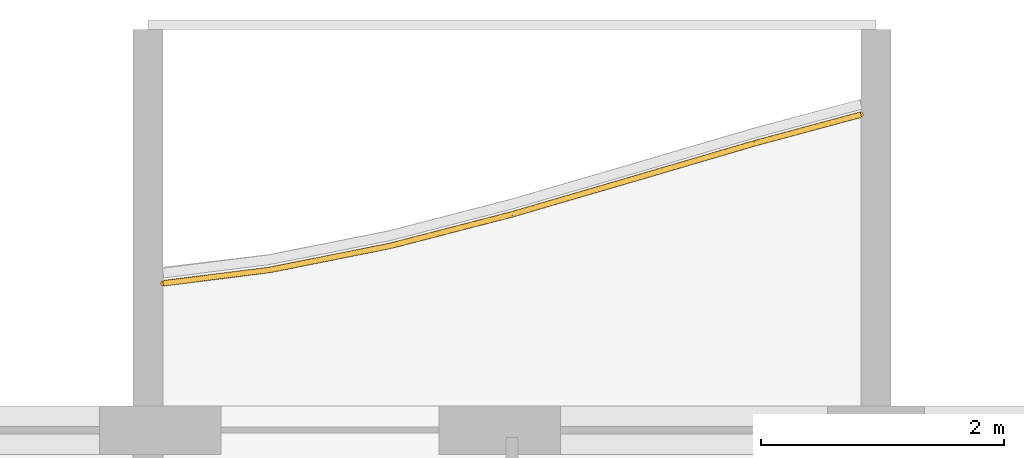
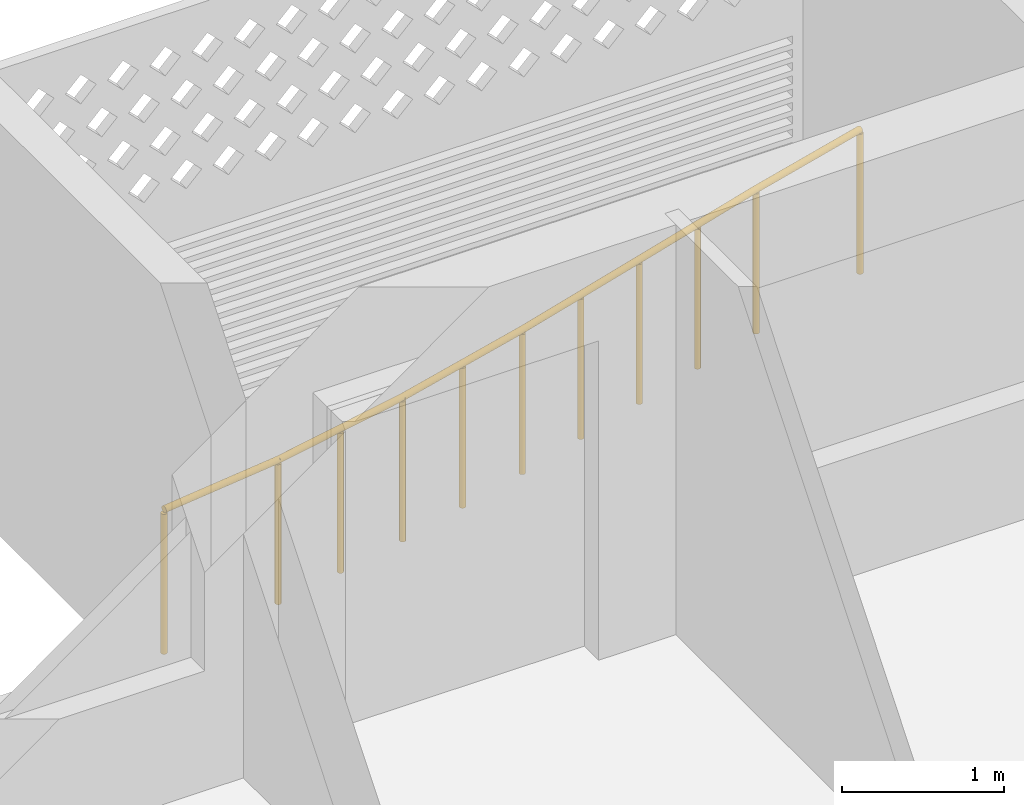
# One storey, part 17 of 26: 1 railing.
"""IFC4 building model written with IfcOpenShell, lengths in metres."""

import ifcopenshell
import ifcopenshell.guid

model = None  # the IFC model being written
_history = None  # IfcOwnerHistory: only IFC2X3 demands one
_inside = {}  # id of a spatial element -> (the spatial element, [elements in it])
_under = {}  # id of a project, library or spatial element -> (it, [spatial elements below it])
_declared = {}  # id of a project -> (the project, [libraries it declares])
_typed = {}  # id of a type object -> (the type object, [elements of that type])
_made_of = {}  # id of a material, layer set ... -> (it, [elements and type objects made of it])


def new_model(schema):
    """Start an empty IFC model of exactly this schema.

    Asked for "IFC4X3", IfcOpenShell would pick the latest addendum, in which some entities
    have other attributes; the version numbers below select the first issue.
    IFC2X3 requires an IfcOwnerHistory on every rooted entity: one is made here for all.
    """
    global model, _history
    if schema == "IFC4X3":
        model = ifcopenshell.file(schema_version=(4, 3, 0, 0))
    else:
        model = ifcopenshell.file(schema=schema)
    _inside.clear()
    _under.clear()
    _declared.clear()
    _typed.clear()
    _made_of.clear()
    _history = None
    if model.schema == "IFC2X3":
        org = make("IfcOrganization", Name="unknown")
        user = make(
            "IfcPersonAndOrganization",
            ThePerson=make("IfcPerson", FamilyName="unknown"),
            TheOrganization=org,
        )
        app = make(
            "IfcApplication",
            ApplicationDeveloper=org,
            Version="unknown",
            ApplicationFullName="unknown",
            ApplicationIdentifier="unknown",
        )
        _history = make(
            "IfcOwnerHistory",
            OwningUser=user,
            OwningApplication=app,
            ChangeAction="ADDED",
            CreationDate=0,
        )
    return model


def make(cls, **values):
    """One entity of the class cls with the attributes given. An attribute that is None is left unset."""
    return model.create_entity(
        cls, **{name: value for name, value in values.items() if value is not None}
    )


def rooted(cls, **values):
    """An entity with a GlobalId (a new one), such as an element, a storey or a relation."""
    return make(cls, GlobalId=ifcopenshell.guid.new(), OwnerHistory=_history, **values)


def si_unit(unit_type, name, prefix=None):
    """IfcSIUnit, for example si_unit("LENGTHUNIT", "METRE", prefix="MILLI")."""
    return make("IfcSIUnit", UnitType=unit_type, Prefix=prefix, Name=name)


def assignment(units):
    """IfcUnitAssignment: the units of a project."""
    return None if units is None else make("IfcUnitAssignment", Units=units)


def point(xyz):
    """IfcCartesianPoint."""
    return None if xyz is None else make("IfcCartesianPoint", Coordinates=xyz)


def direction(xyz):
    """IfcDirection."""
    return None if xyz is None else make("IfcDirection", DirectionRatios=xyz)


def frame(location, z_axis=None, x_axis=None):
    """IfcAxis2Placement3D, a coordinate frame: its origin and axes. An axis left out is left unset."""
    return make(
        "IfcAxis2Placement3D",
        Location=point(location),
        Axis=direction(z_axis),
        RefDirection=direction(x_axis),
    )


def frame_2d(location, x_axis=None):
    """IfcAxis2Placement2D, a coordinate frame in the plane: its origin and x axis."""
    return make(
        "IfcAxis2Placement2D", Location=point(location), RefDirection=direction(x_axis)
    )


def origin():
    """The frame at (0, 0, 0) with its axes left unset."""
    return frame((0.0, 0.0, 0.0))


def origin_2d():
    """The frame at (0, 0) in the plane with its x axis left unset."""
    return frame_2d((0.0, 0.0))


def place(relative_to, where):
    """IfcLocalPlacement: puts the frame where relative to a parent placement (None: the world)."""
    return make(
        "IfcLocalPlacement", PlacementRelTo=relative_to, RelativePlacement=where
    )


def context(
    kind, dimensions, precision=None, world=None, true_north=None, identifier=None
):
    """IfcGeometricRepresentationContext, for example the 3D "Model" context."""
    return make(
        "IfcGeometricRepresentationContext",
        ContextIdentifier=identifier,
        ContextType=kind,
        CoordinateSpaceDimension=dimensions,
        Precision=precision,
        WorldCoordinateSystem=world,
        TrueNorth=true_north,
    )


def subcontext(parent, identifier, kind, view, scale=None):
    """IfcGeometricRepresentationSubContext, for example "Body" below "Model"."""
    return make(
        "IfcGeometricRepresentationSubContext",
        ContextIdentifier=identifier,
        ContextType=kind,
        ParentContext=parent,
        TargetScale=scale,
        TargetView=view,
    )


def project(units=None, contexts=None):
    """IfcProject with its units and contexts."""
    return rooted(
        "IfcProject",
        Name="project",
        RepresentationContexts=contexts,
        UnitsInContext=assignment(units),
    )


def spatial(cls, under=None, at=None, **own):
    """A site, building, storey or space (cls), placed at a placement, below another one or the project."""
    s = rooted(cls, ObjectPlacement=at, **own)
    if under is not None:
        _under.setdefault(under.id(), (under, []))[1].append(s)
    return s


def profile(cls, at=None, kind="AREA", **sizes):
    """A parametric profile (cls). Its sizes go by their IFC names, for example OverallWidth=200.0."""
    return make(cls, ProfileType=kind, Position=at, **sizes)


def circle(**sizes):
    """IfcCircleProfileDef."""
    return profile("IfcCircleProfileDef", **sizes)


def extrude(swept, where, along, depth):
    """IfcExtrudedAreaSolid: the profile swept, set in the frame where, extruded along a direction by depth."""
    return make(
        "IfcExtrudedAreaSolid",
        SweptArea=swept,
        Position=where,
        ExtrudedDirection=direction(along),
        Depth=depth,
    )


def shape(context_of_items, identifier, shape_type, items):
    """IfcShapeRepresentation: the items that make up one representation, for example the "Body"."""
    return make(
        "IfcShapeRepresentation",
        ContextOfItems=context_of_items,
        RepresentationIdentifier=identifier,
        RepresentationType=shape_type,
        Items=items,
    )


def material(Name=None, Category=None):
    """IfcMaterial."""
    return make("IfcMaterial", Name=Name, Category=Category)


def made_of(thing, what):
    """Note that an element or type object is made of a material, layer set ...; save() writes the relation."""
    if what is not None:
        _made_of.setdefault(what.id(), (what, []))[1].append(thing)
    return thing


def type_object(cls, material=None, **own):
    """A type object (cls), such as IfcWallType, which elements share."""
    return made_of(rooted(cls, **own), material)


def element(
    cls,
    number,
    at=None,
    inside=None,
    cuts=None,
    type_object=None,
    material=None,
    context=None,
    identifier="Body",
    shape_type=None,
    held_by="IfcProductDefinitionShape",
    body=None,
    shapes=None,
    **own,
):
    """One element of the class cls, such as IfcWall. Its Tag is "e" and its number.

    at: its placement. inside: the storey or other place that contains it. cuts: it is an
    opening in that element (IfcRelVoidsElement). A single representation is given by context,
    identifier, shape_type and body (its items); several are given by shapes. held_by: the class
    of the entity that holds the representations. save() writes the other relations.
    """
    e = rooted(cls, Tag="e%d" % number, ObjectPlacement=at, **own)
    if body is not None:
        shapes = [shape(context, identifier, shape_type, body)]
    if shapes is not None:
        e.Representation = make(held_by, Representations=shapes)
    if inside is not None:
        _inside.setdefault(inside.id(), (inside, []))[1].append(e)
    if cuts is not None:
        rooted(
            "IfcRelVoidsElement", RelatingBuildingElement=cuts, RelatedOpeningElement=e
        )
    if type_object is not None:
        _typed.setdefault(type_object.id(), (type_object, []))[1].append(e)
    return made_of(e, material)


def aggregate(whole, parts):
    """IfcRelAggregates: a whole, such as a stair, and the parts it consists of."""
    return rooted("IfcRelAggregates", RelatingObject=whole, RelatedObjects=parts)


def save(model, path):
    """Write the relations noted so far, then the file.

    IfcRelAggregates (storeys below a building ...), IfcRelContainedInSpatialStructure (elements
    in a storey), IfcRelDefinesByType, IfcRelAssociatesMaterial and IfcRelDeclares: one each for
    every whole, place, type object, material and project.
    """
    for whole, parts in _under.values():
        aggregate(whole, parts)
    for where, things in _inside.values():
        rooted(
            "IfcRelContainedInSpatialStructure",
            RelatedElements=things,
            RelatingStructure=where,
        )
    for kind, things in _typed.values():
        rooted("IfcRelDefinesByType", RelatedObjects=things, RelatingType=kind)
    for what, things in _made_of.values():
        rooted("IfcRelAssociatesMaterial", RelatedObjects=things, RelatingMaterial=what)
    for by, libraries in _declared.values():
        rooted("IfcRelDeclares", RelatingContext=by, RelatedDefinitions=libraries)
    model.write(path)


model = new_model("IFC4")

# Units and contexts
model_context = context("Model", 3, precision=1e-05, world=origin(), true_north=direction((0.0, 1.0)))
body_context = subcontext(model_context, "Body", "Model", "MODEL_VIEW")
ifc_project = project(units=[si_unit("LENGTHUNIT", "METRE"), si_unit("AREAUNIT", "SQUARE_METRE"), si_unit("VOLUMEUNIT", "CUBIC_METRE"), si_unit("PLANEANGLEUNIT", "RADIAN"), si_unit("MASSUNIT", "GRAM", prefix="KILO")], contexts=[model_context])

# Site, building, storey
site_placement = place(None, origin())
site = spatial("IfcSite", under=ifc_project, at=site_placement, CompositionType="ELEMENT")
building_placement = place(site_placement, origin())
building = spatial("IfcBuilding", under=site, at=building_placement, Name="Poui Terraces", CompositionType="ELEMENT")
storey_placement = place(building_placement, frame((0.0, 0.0, 178.5)))
storey = spatial("IfcBuildingStorey", under=building, at=storey_placement, Name="L49", CompositionType="ELEMENT", Elevation=178.5)

# Railing
ifc_material = material(Name="Painted steel fretwork", Category="steel")
railing_type = type_object("IfcRailingType", Name="BALCONY GUARD 1100", PredefinedType="GUARDRAIL", material=ifc_material)
railing_placement = place(storey_placement, frame((36.125, 42.41015625, 0.0)))
element("IfcRailing", 1, at=railing_placement, inside=storey, type_object=railing_type, Name="BALCONY GUARD", PredefinedType="GUARDRAIL", context=body_context, shape_type="SweptSolid", body=[
    extrude(circle(Radius=0.02392578125, at=origin_2d()), frame((0.0, 0.0, 1.076171875), z_axis=(0.99220958069, 0.124579885968, 0.0), x_axis=(-0.124579885968, 0.99220958069, 0.0)), (0.0, 0.0, 1.0), 0.8818359375),
    extrude(circle(Radius=0.02392578125, at=origin_2d()), frame((0.875, 0.10986328125, 1.076171875), z_axis=(0.980635885947, 0.19583988152, 0.0), x_axis=(-0.19583988152, 0.980635885947, 0.0)), (0.0, 0.0, 1.0), 1.019775390625),
    extrude(circle(Radius=0.02392578125, at=origin_2d()), frame((1.875, 0.3095703125, 1.076171875), z_axis=(0.968107386431, 0.250535602934, 0.0), x_axis=(-0.250535602934, 0.968107386431, 0.0)), (0.0, 0.0, 1.0), 1.032958984375),
    extrude(circle(Radius=0.02392578125, at=origin_2d()), frame((2.875, 0.568359375, 1.076171875), z_axis=(0.95997899776, 0.280071997637, 0.0), x_axis=(-0.280071997637, 0.95997899776, 0.0)), (0.0, 0.0, 1.0), 1.041748046875),
    extrude(circle(Radius=0.02392578125, at=origin_2d()), frame((3.875, 0.860107421875, 1.076171875), z_axis=(0.959410247021, 0.282014144876, 0.0), x_axis=(-0.282014144876, 0.959410247021, 0.0)), (0.0, 0.0, 1.0), 1.042236328125),
    extrude(circle(Radius=0.02392578125, at=origin_2d()), frame((4.875, 1.154052734375, 1.076171875), z_axis=(0.965610555684, 0.259992797499, 0.0), x_axis=(-0.259992797499, 0.965610555684, 0.0)), (0.0, 0.0, 1.0), 0.90625),
    extrude(circle(Radius=0.02099609375, at=origin_2d()), origin(), (0.0, 0.0, 1.0), 1.052001953125),
    extrude(circle(Radius=0.02099609375, at=origin_2d()), frame((0.875, 0.10986328125, 0.0)), (0.0, 0.0, 1.0), 1.052001953125),
    extrude(circle(Radius=0.02099609375, at=origin_2d()), frame((1.375, 0.209716796875, 0.0)), (0.0, 0.0, 1.0), 1.052001953125),
    extrude(circle(Radius=0.02099609375, at=origin_2d()), frame((1.875, 0.3095703125, 0.0)), (0.0, 0.0, 1.0), 1.052001953125),
    extrude(circle(Radius=0.02099609375, at=origin_2d()), frame((2.375, 0.43896484375, 0.0)), (0.0, 0.0, 1.0), 1.052001953125),
    extrude(circle(Radius=0.02099609375, at=origin_2d()), frame((2.875, 0.568359375, 0.0)), (0.0, 0.0, 1.0), 1.052001953125),
    extrude(circle(Radius=0.02099609375, at=origin_2d()), frame((3.375, 0.71435546875, 0.0)), (0.0, 0.0, 1.0), 1.052001953125),
    extrude(circle(Radius=0.02099609375, at=origin_2d()), frame((3.875, 0.860107421875, 0.0)), (0.0, 0.0, 1.0), 1.052001953125),
    extrude(circle(Radius=0.02099609375, at=origin_2d()), frame((4.375, 1.007080078125, 0.0)), (0.0, 0.0, 1.0), 1.052001953125),
    extrude(circle(Radius=0.02099609375, at=origin_2d()), frame((4.875, 1.154052734375, 0.0)), (0.0, 0.0, 1.0), 1.052001953125),
    extrude(circle(Radius=0.02099609375, at=origin_2d()), frame((5.75, 1.3896484375, 0.0)), (0.0, 0.0, 1.0), 1.052001953125),
])

save(model, "model.ifc")
